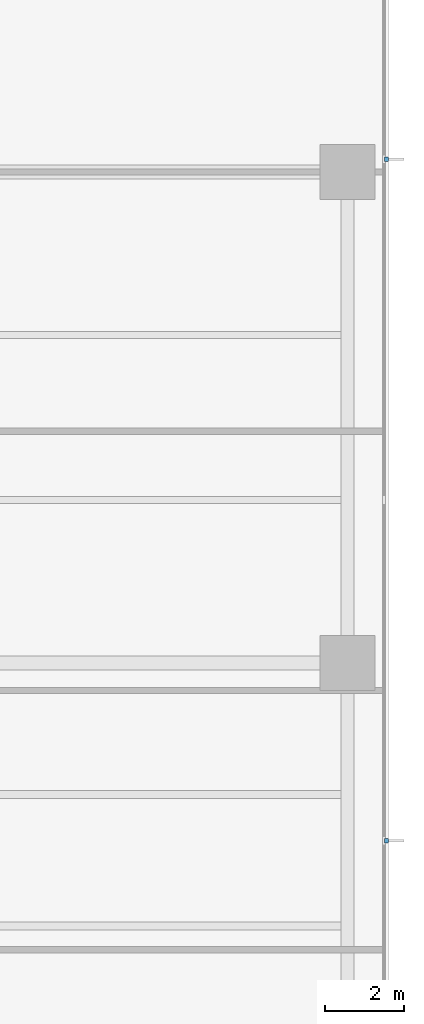
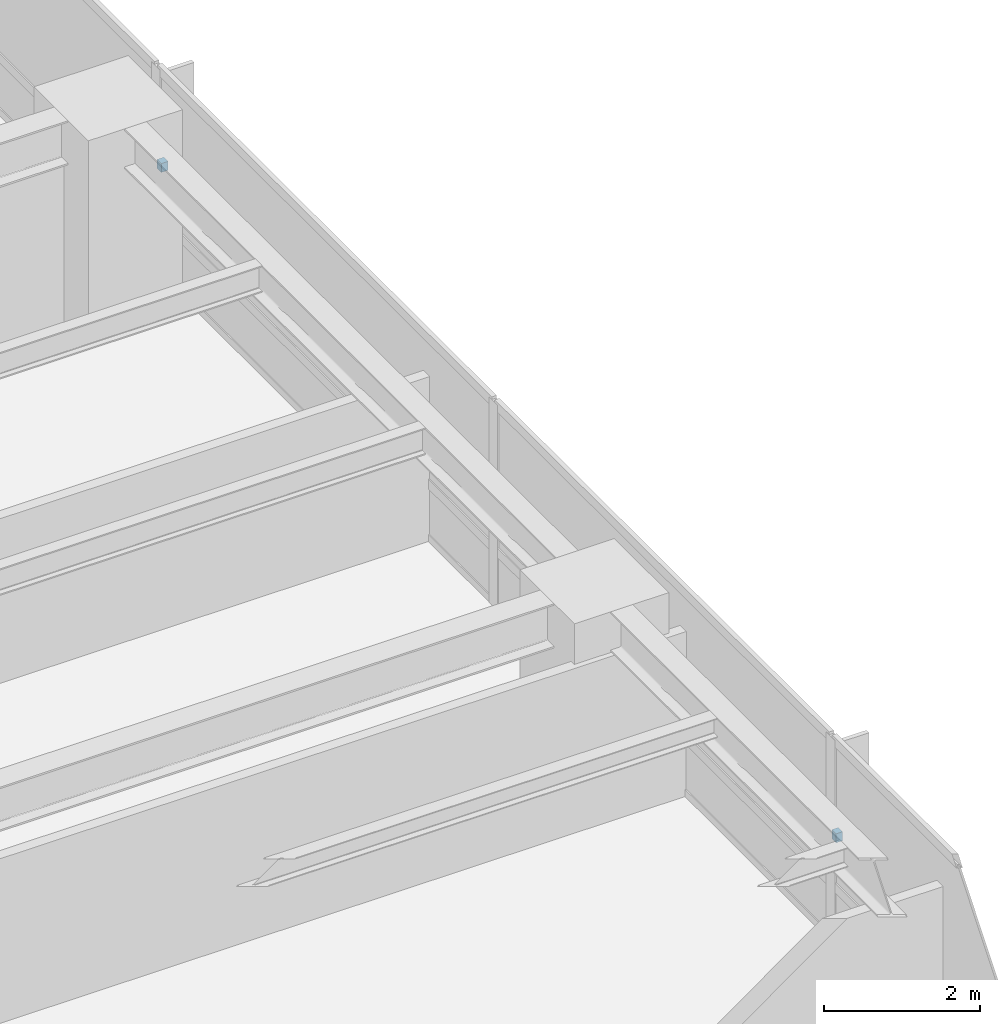
# One storey, part 13 of 16: 2 discrete accessories.
"""IFC4 building model written with IfcOpenShell, lengths in metres."""

from ifc_helpers import new_model, si_unit, direction, frame, origin, place, context, subcontext, project, spatial, polyline, outline, extrude, material, type_object, element, save


model = new_model("IFC4")

# Units and contexts
model_context = context("Model", 3, precision=1e-05, world=origin(), true_north=direction((0.0, 1.0)))
body_context = subcontext(model_context, "Body", "Model", "MODEL_VIEW")
ifc_project = project(units=[si_unit("LENGTHUNIT", "METRE"), si_unit("AREAUNIT", "SQUARE_METRE"), si_unit("VOLUMEUNIT", "CUBIC_METRE"), si_unit("PLANEANGLEUNIT", "RADIAN"), si_unit("MASSUNIT", "GRAM", prefix="KILO")], contexts=[model_context])

# Site, building, storey
site_placement = place(None, origin())
site = spatial("IfcSite", under=ifc_project, at=site_placement, CompositionType="ELEMENT")
building_placement = place(site_placement, origin())
building = spatial("IfcBuilding", under=site, at=building_placement, Name="Qalmaran Belvedere Hotel", CompositionType="ELEMENT")
storey_placement = place(building_placement, frame((0.0, 0.0, 64.89990234375)))
storey = spatial("IfcBuildingStorey", under=building, at=storey_placement, Name="L16", CompositionType="ELEMENT", Elevation=64.89990234375)

# Discrete accessories
ifc_material = material(Name="Stainless Steel 1.4401", Category="steel")
discrete_accessory_type = type_object("IfcDiscreteAccessoryType", Name="BRK-FIN-SS316", PredefinedType="BRACKET", material=ifc_material)
discrete_accessory_1_placement = place(storey_placement, frame((0.0, 0.0, 1.56005859375)))
element("IfcDiscreteAccessory", 1, at=discrete_accessory_1_placement, inside=storey, type_object=discrete_accessory_type, Name="L16 Fin Bracket 1", PredefinedType="BRACKET", context=body_context, shape_type="SweptSolid", body=[
    extrude(outline(polyline([(61.695068359375, 15.919921875), (61.79248046875, 15.919921875), (61.79248046875, 16.030029296875), (61.695068359375, 16.030029296875), (61.695068359375, 15.919921875)])), origin(), (0.0, 0.0, 1.0), 0.14013671875),
])
discrete_accessory_2_placement = place(storey_placement, frame((0.0, 0.0, 1.56005859375)))
element("IfcDiscreteAccessory", 2, at=discrete_accessory_2_placement, inside=storey, type_object=discrete_accessory_type, Name="L16 Fin Bracket 3", PredefinedType="BRACKET", context=body_context, shape_type="SweptSolid", body=[
    extrude(outline(polyline([(61.695068359375, 33.27001953125), (61.79248046875, 33.27001953125), (61.79248046875, 33.3798828125), (61.695068359375, 33.3798828125), (61.695068359375, 33.27001953125)])), origin(), (0.0, 0.0, 1.0), 0.14013671875),
])

save(model, "model.ifc")
